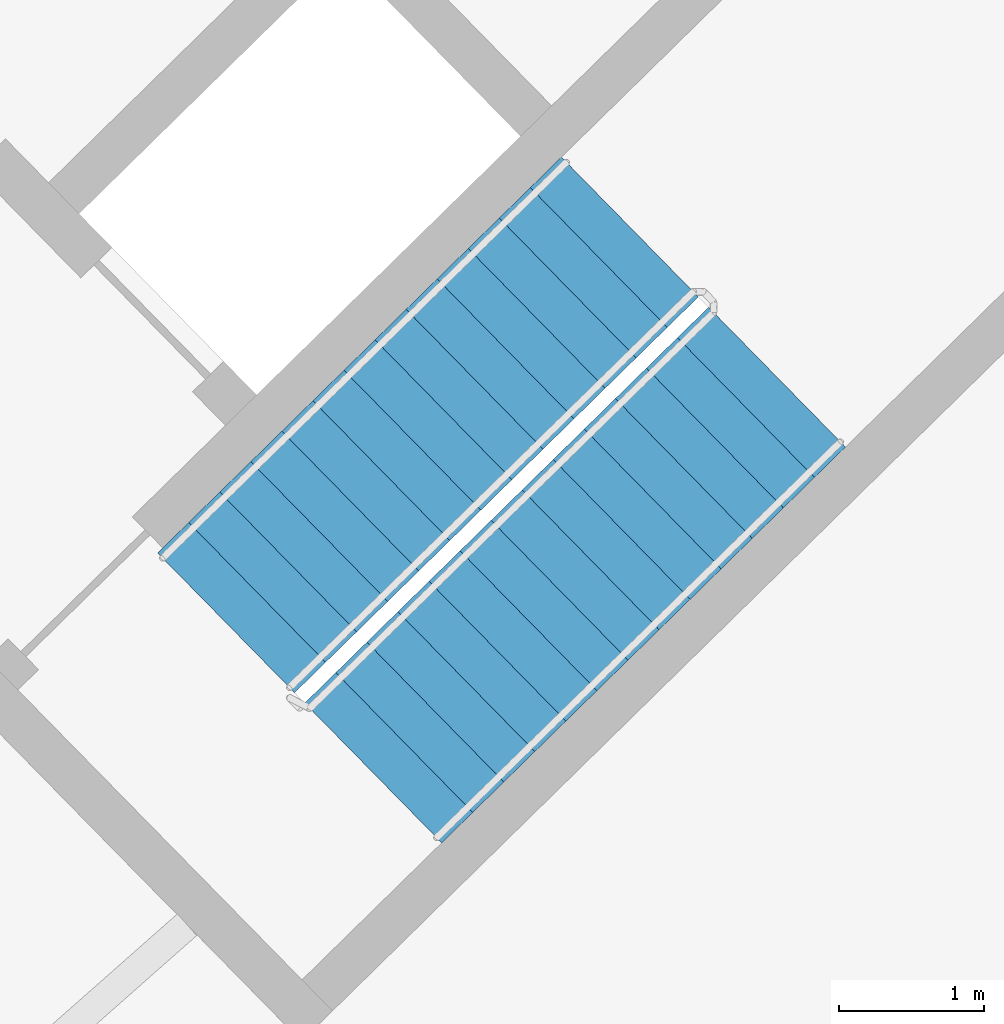
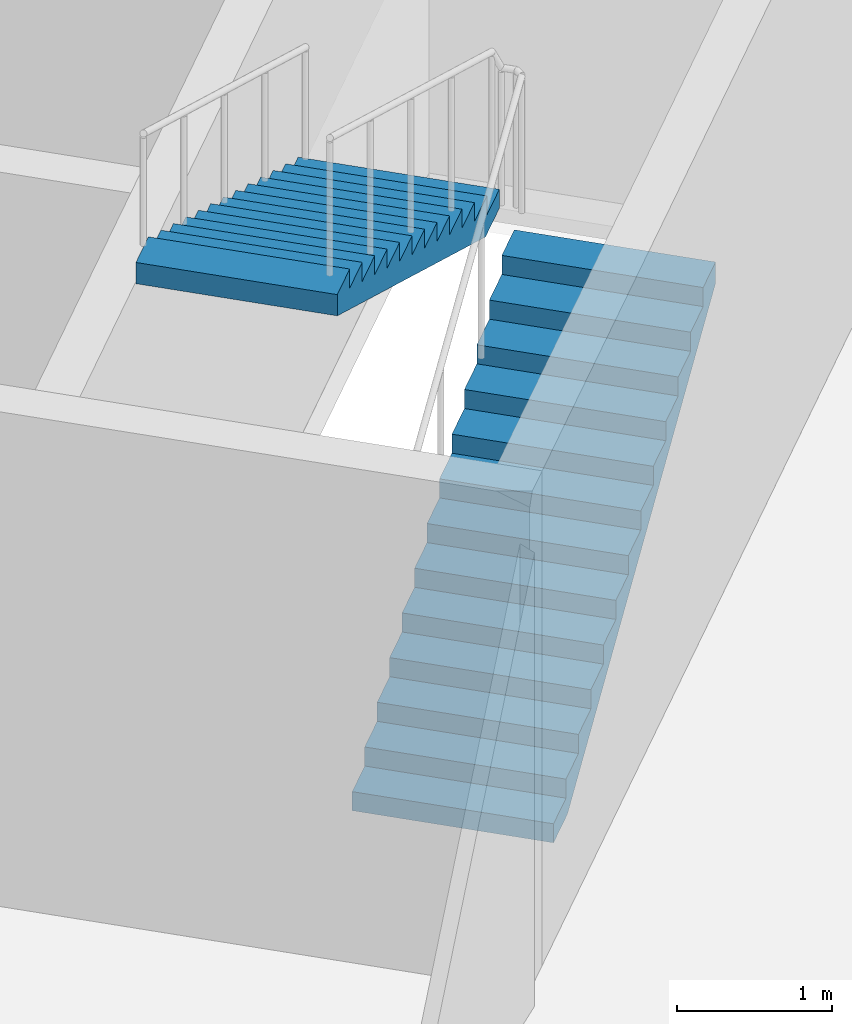
# One storey, part 10 of 12: 2 stair flights, 1 element without a shape of its own.
"""IFC4 building model written with IfcOpenShell, lengths in metres."""

from ifc_helpers import new_model, si_unit, direction, frame, origin, place, context, subcontext, project, spatial, polyline, outline, extrude, material, type_object, element, aggregate, save


model = new_model("IFC4")

# Units and contexts
model_context = context("Model", 3, precision=1e-05, world=origin(), true_north=direction((0.0, 1.0)))
body_context = subcontext(model_context, "Body", "Model", "MODEL_VIEW")
ifc_project = project(units=[si_unit("LENGTHUNIT", "METRE"), si_unit("AREAUNIT", "SQUARE_METRE"), si_unit("VOLUMEUNIT", "CUBIC_METRE"), si_unit("PLANEANGLEUNIT", "RADIAN"), si_unit("MASSUNIT", "GRAM", prefix="KILO")], contexts=[model_context])

# Site, building, storey
site_placement = place(None, origin())
site = spatial("IfcSite", under=ifc_project, at=site_placement, CompositionType="ELEMENT")
building_placement = place(site_placement, origin())
building = spatial("IfcBuilding", under=site, at=building_placement, Name="Tuul Gate Civic Tower", CompositionType="ELEMENT")
storey_placement = place(building_placement, frame((0.0, 0.0, 82.199951171875)))
storey = spatial("IfcBuildingStorey", under=building, at=storey_placement, Name="Level 18", CompositionType="ELEMENT", Elevation=82.199951171875)

# Stair, stair flights
ifc_material_1 = material(Name="Concrete C40/50", Category="concrete")
stair_type = type_object("IfcStairType", Name="Exit stair", PredefinedType="HALF_TURN_STAIR", material=ifc_material_1)
stair_placement = place(storey_placement, origin())
stair = element("IfcStair", 1, at=stair_placement, inside=storey, type_object=stair_type, Name="Level 18 ST-3", PredefinedType="HALF_TURN_STAIR")
ifc_material_2 = material(Name="Concrete C40/50", Category="concrete")
stair_flight_type = type_object("IfcStairFlightType", Name="Exit stair flight", PredefinedType="STRAIGHT", material=ifc_material_2)
stair_flight_1_placement = place(storey_placement, frame((48.61376953125, -16.581787109375, 0.0), z_axis=(0.0, 0.0, 1.0), x_axis=(0.714127290059, 0.700015866672, 0.0)))
stair_flight_1 = element("IfcStairFlight", 2, at=stair_flight_1_placement, type_object=stair_flight_type, Name="ST-3 flight 1", NumberOfRisers=14, NumberOfTreads=13, PredefinedType="STRAIGHT", RiserHeight=0.15, TreadLength=0.3, context=body_context, shape_type="SweptSolid", body=[
    extrude(outline(polyline([(0.0, 0.0), (0.0, 0.14990234375), (0.300048828125, 0.14990234375), (0.300048828125, 0.300048828125), (0.60009765625, 0.300048828125), (0.60009765625, 0.449951171875), (0.89990234375, 0.449951171875), (0.89990234375, 0.60009765625), (1.199951171875, 0.60009765625), (1.199951171875, 0.75), (1.5, 0.75), (1.5, 0.89990234375), (1.800048828125, 0.89990234375), (1.800048828125, 1.050048828125), (2.10009765625, 1.050048828125), (2.10009765625, 1.199951171875), (2.39990234375, 1.199951171875), (2.39990234375, 1.35009765625), (2.699951171875, 1.35009765625), (2.699951171875, 1.5), (3.0, 1.5), (3.0, 1.64990234375), (3.300048828125, 1.64990234375), (3.300048828125, 1.800048828125), (3.60009765625, 1.800048828125), (3.60009765625, 1.949951171875), (3.89990234375, 1.949951171875), (3.89990234375, 2.10009765625), (3.89990234375, 1.782470703125), (0.335205078125, 0.0), (0.0, 0.0)])), frame((0.0, 0.675048828125, 0.0), z_axis=(0.0, -1.0, 0.0), x_axis=(1.0, 0.0, 0.0)), (0.0, 0.0, 1.0), 1.35009765625),
])
stair_flight_2_placement = place(storey_placement, frame((50.3837890625, -12.816162109375, 2.10009765625), z_axis=(0.0, 0.0, 1.0), x_axis=(-0.714127290059, -0.700015866672, 0.0)))
stair_flight_2 = element("IfcStairFlight", 3, at=stair_flight_2_placement, type_object=stair_flight_type, Name="ST-3 flight 2", NumberOfRisers=14, NumberOfTreads=13, PredefinedType="STRAIGHT", RiserHeight=0.15, TreadLength=0.3, context=body_context, shape_type="SweptSolid", body=[
    extrude(outline(polyline([(0.0, 0.0), (0.0, 0.14990234375), (0.300048828125, 0.14990234375), (0.300048828125, 0.300048828125), (0.60009765625, 0.300048828125), (0.60009765625, 0.449951171875), (0.89990234375, 0.449951171875), (0.89990234375, 0.60009765625), (1.199951171875, 0.60009765625), (1.199951171875, 0.75), (1.5, 0.75), (1.5, 0.89990234375), (1.800048828125, 0.89990234375), (1.800048828125, 1.050048828125), (2.10009765625, 1.050048828125), (2.10009765625, 1.199951171875), (2.39990234375, 1.199951171875), (2.39990234375, 1.35009765625), (2.699951171875, 1.35009765625), (2.699951171875, 1.5), (3.0, 1.5), (3.0, 1.64990234375), (3.300048828125, 1.64990234375), (3.300048828125, 1.800048828125), (3.60009765625, 1.800048828125), (3.60009765625, 1.949951171875), (3.89990234375, 1.949951171875), (3.89990234375, 2.10009765625), (3.89990234375, 1.782470703125), (0.335205078125, 0.0), (0.0, 0.0)])), frame((0.0, 0.675048828125, 0.0), z_axis=(0.0, -1.0, 0.0), x_axis=(1.0, 0.0, 0.0)), (0.0, 0.0, 1.0), 1.35009765625),
])
aggregate(stair, [stair_flight_1, stair_flight_2])

save(model, "model.ifc")
